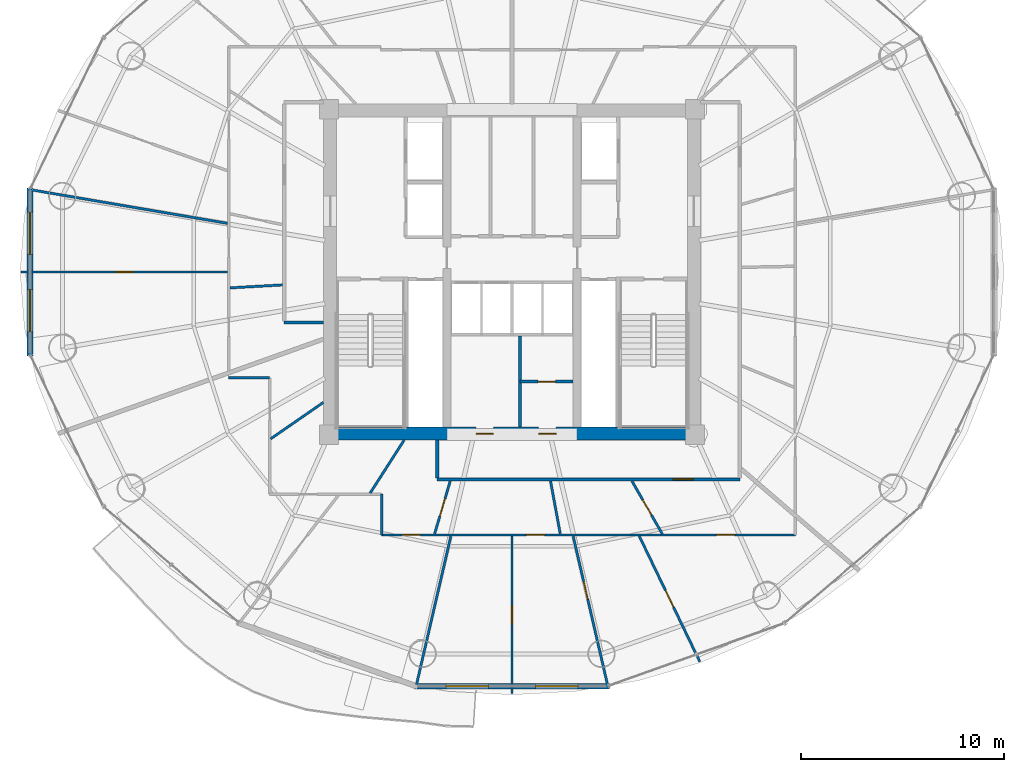
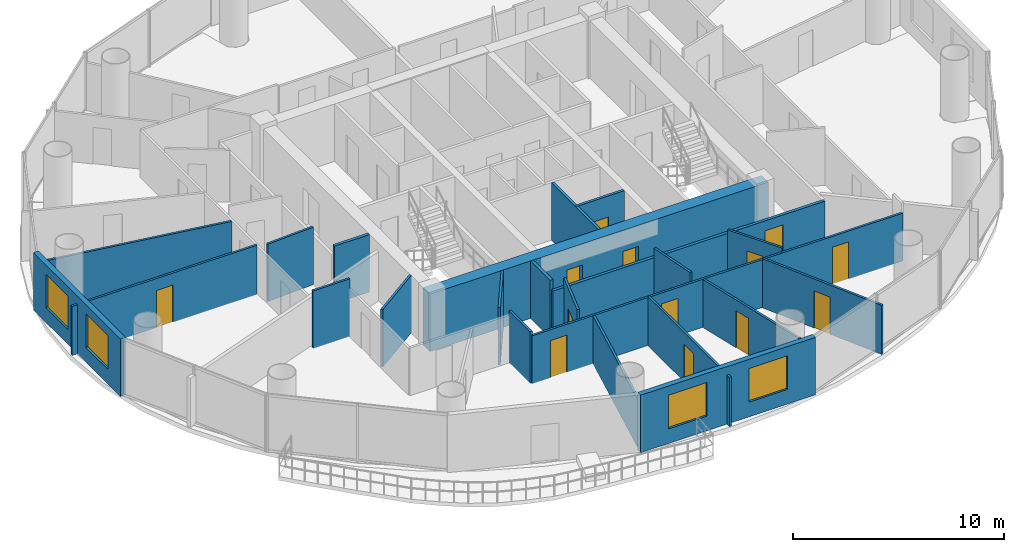
# One storey, part 21 of 27: 23 walls, 13 doors, 4 windows, 17 openings.
"""IFC4 building model written with IfcOpenShell, lengths in metres."""

import ifcopenshell
import ifcopenshell.guid

model = None  # the IFC model being written
_history = None  # IfcOwnerHistory: only IFC2X3 demands one
_inside = {}  # id of a spatial element -> (the spatial element, [elements in it])
_under = {}  # id of a project, library or spatial element -> (it, [spatial elements below it])
_declared = {}  # id of a project -> (the project, [libraries it declares])
_typed = {}  # id of a type object -> (the type object, [elements of that type])
_made_of = {}  # id of a material, layer set ... -> (it, [elements and type objects made of it])


def new_model(schema):
    """Start an empty IFC model of exactly this schema.

    Asked for "IFC4X3", IfcOpenShell would pick the latest addendum, in which some entities
    have other attributes; the version numbers below select the first issue.
    IFC2X3 requires an IfcOwnerHistory on every rooted entity: one is made here for all.
    """
    global model, _history
    if schema == "IFC4X3":
        model = ifcopenshell.file(schema_version=(4, 3, 0, 0))
    else:
        model = ifcopenshell.file(schema=schema)
    _inside.clear()
    _under.clear()
    _declared.clear()
    _typed.clear()
    _made_of.clear()
    _history = None
    if model.schema == "IFC2X3":
        org = make("IfcOrganization", Name="unknown")
        user = make(
            "IfcPersonAndOrganization",
            ThePerson=make("IfcPerson", FamilyName="unknown"),
            TheOrganization=org,
        )
        app = make(
            "IfcApplication",
            ApplicationDeveloper=org,
            Version="unknown",
            ApplicationFullName="unknown",
            ApplicationIdentifier="unknown",
        )
        _history = make(
            "IfcOwnerHistory",
            OwningUser=user,
            OwningApplication=app,
            ChangeAction="ADDED",
            CreationDate=0,
        )
    return model


def make(cls, **values):
    """One entity of the class cls with the attributes given. An attribute that is None is left unset."""
    return model.create_entity(
        cls, **{name: value for name, value in values.items() if value is not None}
    )


def rooted(cls, **values):
    """An entity with a GlobalId (a new one), such as an element, a storey or a relation."""
    return make(cls, GlobalId=ifcopenshell.guid.new(), OwnerHistory=_history, **values)


def si_unit(unit_type, name, prefix=None):
    """IfcSIUnit, for example si_unit("LENGTHUNIT", "METRE", prefix="MILLI")."""
    return make("IfcSIUnit", UnitType=unit_type, Prefix=prefix, Name=name)


def assignment(units):
    """IfcUnitAssignment: the units of a project."""
    return None if units is None else make("IfcUnitAssignment", Units=units)


def point(xyz):
    """IfcCartesianPoint."""
    return None if xyz is None else make("IfcCartesianPoint", Coordinates=xyz)


def direction(xyz):
    """IfcDirection."""
    return None if xyz is None else make("IfcDirection", DirectionRatios=xyz)


def frame(location, z_axis=None, x_axis=None):
    """IfcAxis2Placement3D, a coordinate frame: its origin and axes. An axis left out is left unset."""
    return make(
        "IfcAxis2Placement3D",
        Location=point(location),
        Axis=direction(z_axis),
        RefDirection=direction(x_axis),
    )


def frame_2d(location, x_axis=None):
    """IfcAxis2Placement2D, a coordinate frame in the plane: its origin and x axis."""
    return make(
        "IfcAxis2Placement2D", Location=point(location), RefDirection=direction(x_axis)
    )


def origin():
    """The frame at (0, 0, 0) with its axes left unset."""
    return frame((0.0, 0.0, 0.0))


def place(relative_to, where):
    """IfcLocalPlacement: puts the frame where relative to a parent placement (None: the world)."""
    return make(
        "IfcLocalPlacement", PlacementRelTo=relative_to, RelativePlacement=where
    )


def context(
    kind, dimensions, precision=None, world=None, true_north=None, identifier=None
):
    """IfcGeometricRepresentationContext, for example the 3D "Model" context."""
    return make(
        "IfcGeometricRepresentationContext",
        ContextIdentifier=identifier,
        ContextType=kind,
        CoordinateSpaceDimension=dimensions,
        Precision=precision,
        WorldCoordinateSystem=world,
        TrueNorth=true_north,
    )


def subcontext(parent, identifier, kind, view, scale=None):
    """IfcGeometricRepresentationSubContext, for example "Body" below "Model"."""
    return make(
        "IfcGeometricRepresentationSubContext",
        ContextIdentifier=identifier,
        ContextType=kind,
        ParentContext=parent,
        TargetScale=scale,
        TargetView=view,
    )


def project(units=None, contexts=None):
    """IfcProject with its units and contexts."""
    return rooted(
        "IfcProject",
        Name="project",
        RepresentationContexts=contexts,
        UnitsInContext=assignment(units),
    )


def spatial(cls, under=None, at=None, **own):
    """A site, building, storey or space (cls), placed at a placement, below another one or the project."""
    s = rooted(cls, ObjectPlacement=at, **own)
    if under is not None:
        _under.setdefault(under.id(), (under, []))[1].append(s)
    return s


def profile(cls, at=None, kind="AREA", **sizes):
    """A parametric profile (cls). Its sizes go by their IFC names, for example OverallWidth=200.0."""
    return make(cls, ProfileType=kind, Position=at, **sizes)


def rectangle(**sizes):
    """IfcRectangleProfileDef."""
    return profile("IfcRectangleProfileDef", **sizes)


def extrude(swept, where, along, depth):
    """IfcExtrudedAreaSolid: the profile swept, set in the frame where, extruded along a direction by depth."""
    return make(
        "IfcExtrudedAreaSolid",
        SweptArea=swept,
        Position=where,
        ExtrudedDirection=direction(along),
        Depth=depth,
    )


def shape(context_of_items, identifier, shape_type, items):
    """IfcShapeRepresentation: the items that make up one representation, for example the "Body"."""
    return make(
        "IfcShapeRepresentation",
        ContextOfItems=context_of_items,
        RepresentationIdentifier=identifier,
        RepresentationType=shape_type,
        Items=items,
    )


def source(mapping_origin, context_of_items, identifier, shape_type, items):
    """IfcRepresentationMap: a shape defined once, which mapped items show again and again."""
    return make(
        "IfcRepresentationMap",
        MappingOrigin=mapping_origin,
        MappedRepresentation=shape(context_of_items, identifier, shape_type, items),
    )


def transform(
    local_origin,
    x_axis=None,
    y_axis=None,
    z_axis=None,
    scale=None,
    scale2=None,
    scale3=None,
    uniform=True,
):
    """IfcCartesianTransformationOperator3D, or its non-uniform kind. x_axis, y_axis, z_axis: its Axis1, 2, 3."""
    if uniform:
        return make(
            "IfcCartesianTransformationOperator3D",
            Axis1=direction(x_axis),
            Axis2=direction(y_axis),
            LocalOrigin=point(local_origin),
            Scale=scale,
            Axis3=direction(z_axis),
        )
    return make(
        "IfcCartesianTransformationOperator3DnonUniform",
        Axis1=direction(x_axis),
        Axis2=direction(y_axis),
        LocalOrigin=point(local_origin),
        Scale=scale,
        Axis3=direction(z_axis),
        Scale2=scale2,
        Scale3=scale3,
    )


def mapped(mapping_source, mapping_target):
    """IfcMappedItem: shows the shape of a source again, moved by a transform."""
    return make(
        "IfcMappedItem", MappingSource=mapping_source, MappingTarget=mapping_target
    )


def material(Name=None, Category=None):
    """IfcMaterial."""
    return make("IfcMaterial", Name=Name, Category=Category)


def layer(
    of_material, thickness, ventilated=None, Name=None, Category=None, Priority=None
):
    """IfcMaterialLayer: one layer of a wall or slab, of a material (None: an air gap)."""
    return make(
        "IfcMaterialLayer",
        Material=of_material,
        LayerThickness=thickness,
        IsVentilated=ventilated,
        Name=Name,
        Category=Category,
        Priority=Priority,
    )


def layer_set(layers, Name=None):
    """IfcMaterialLayerSet."""
    return make("IfcMaterialLayerSet", MaterialLayers=layers, LayerSetName=Name)


def made_of(thing, what):
    """Note that an element or type object is made of a material, layer set ...; save() writes the relation."""
    if what is not None:
        _made_of.setdefault(what.id(), (what, []))[1].append(thing)
    return thing


def type_object(cls, material=None, **own):
    """A type object (cls), such as IfcWallType, which elements share."""
    return made_of(rooted(cls, **own), material)


def element(
    cls,
    number,
    at=None,
    inside=None,
    cuts=None,
    type_object=None,
    material=None,
    context=None,
    identifier="Body",
    shape_type=None,
    held_by="IfcProductDefinitionShape",
    body=None,
    shapes=None,
    **own,
):
    """One element of the class cls, such as IfcWall. Its Tag is "e" and its number.

    at: its placement. inside: the storey or other place that contains it. cuts: it is an
    opening in that element (IfcRelVoidsElement). A single representation is given by context,
    identifier, shape_type and body (its items); several are given by shapes. held_by: the class
    of the entity that holds the representations. save() writes the other relations.
    """
    e = rooted(cls, Tag="e%d" % number, ObjectPlacement=at, **own)
    if body is not None:
        shapes = [shape(context, identifier, shape_type, body)]
    if shapes is not None:
        e.Representation = make(held_by, Representations=shapes)
    if inside is not None:
        _inside.setdefault(inside.id(), (inside, []))[1].append(e)
    if cuts is not None:
        rooted(
            "IfcRelVoidsElement", RelatingBuildingElement=cuts, RelatedOpeningElement=e
        )
    if type_object is not None:
        _typed.setdefault(type_object.id(), (type_object, []))[1].append(e)
    return made_of(e, material)


def fill(opening, filler):
    """IfcRelFillsElement: the door or window that sits in an opening."""
    return rooted(
        "IfcRelFillsElement",
        RelatingOpeningElement=opening,
        RelatedBuildingElement=filler,
    )


def aggregate(whole, parts):
    """IfcRelAggregates: a whole, such as a stair, and the parts it consists of."""
    return rooted("IfcRelAggregates", RelatingObject=whole, RelatedObjects=parts)


def save(model, path):
    """Write the relations noted so far, then the file.

    IfcRelAggregates (storeys below a building ...), IfcRelContainedInSpatialStructure (elements
    in a storey), IfcRelDefinesByType, IfcRelAssociatesMaterial and IfcRelDeclares: one each for
    every whole, place, type object, material and project.
    """
    for whole, parts in _under.values():
        aggregate(whole, parts)
    for where, things in _inside.values():
        rooted(
            "IfcRelContainedInSpatialStructure",
            RelatedElements=things,
            RelatingStructure=where,
        )
    for kind, things in _typed.values():
        rooted("IfcRelDefinesByType", RelatedObjects=things, RelatingType=kind)
    for what, things in _made_of.values():
        rooted("IfcRelAssociatesMaterial", RelatedObjects=things, RelatingMaterial=what)
    for by, libraries in _declared.values():
        rooted("IfcRelDeclares", RelatingContext=by, RelatedDefinitions=libraries)
    model.write(path)


model = new_model("IFC4")

# Units and contexts
model_context = context("Model", 3, precision=1e-05, world=origin(), true_north=direction((-0.2419218956, 0.970295726276)))
body_context = subcontext(model_context, "Body", "Model", "MODEL_VIEW")
ifc_project = project(units=[si_unit("LENGTHUNIT", "METRE"), si_unit("AREAUNIT", "SQUARE_METRE"), si_unit("VOLUMEUNIT", "CUBIC_METRE"), si_unit("PLANEANGLEUNIT", "RADIAN"), si_unit("MASSUNIT", "GRAM", prefix="KILO")], contexts=[model_context])

# Site, building, storey
site_placement = place(None, origin())
site = spatial("IfcSite", under=ifc_project, at=site_placement, CompositionType="ELEMENT")
building_placement = place(site_placement, origin())
building = spatial("IfcBuilding", under=site, at=building_placement, Name="Cobrevalo Terracotta Tower", CompositionType="ELEMENT")
storey_placement = place(building_placement, frame((0.0, 0.0, 149.800048828125)))
storey = spatial("IfcBuildingStorey", under=building, at=storey_placement, Name="L39", CompositionType="ELEMENT", Elevation=149.800048828125)

# Wall, openings, doors
ifc_material_1 = material(Name="Concrete C55", Category="concrete")
ifc_layer_1 = layer(ifc_material_1, 0.64990234375)
ifc_layer_set_1 = layer_set([ifc_layer_1], Name="Concrete C55")
wall_type_1 = type_object("IfcWallType", Name="Core shear wall 650 mm Concrete C55", PredefinedType="SHEAR", material=ifc_layer_set_1)
wall_1_placement = place(storey_placement, frame((28.72509765625, 18.85009765625, 0.0), z_axis=(0.0, 0.0, 1.0), x_axis=(1.0, 0.0, 0.0)))
wall_1 = element("IfcWall", 1, at=wall_1_placement, inside=storey, type_object=wall_type_1, Name="L39 south core shear wall", PredefinedType="SHEAR", context=body_context, shape_type="SweptSolid", body=[
    extrude(rectangle(XDim=18.5498046875, YDim=0.64990234375, at=frame_2d((9.27490234375, 0.0))), origin(), (0.0, 0.0, 1.0), 3.329833984375),
])
opening_1_placement = place(wall_1_placement, frame((7.510009765625, 0.0, 0.0)))
opening_1 = element("IfcOpeningElement", 2, at=opening_1_placement, cuts=wall_1, Name="Opening ID-22", PredefinedType="OPENING", context=body_context, shape_type="SweptSolid", body=[
    extrude(rectangle(XDim=0.85009765625, YDim=2.10009765625, at=frame_2d((0.425048828125, 1.050048828125))), frame((0.0, 0.3349609375, 0.0), z_axis=(0.0, -1.0, 0.0), x_axis=(1.0, 0.0, 0.0)), (0.0, 0.0, 1.0), 0.669921875),
])
opening_2_placement = place(wall_1_placement, frame((10.590087890625, 0.0, 0.0)))
opening_2 = element("IfcOpeningElement", 3, at=opening_2_placement, cuts=wall_1, Name="Opening ID-22", PredefinedType="OPENING", context=body_context, shape_type="SweptSolid", body=[
    extrude(rectangle(XDim=0.85009765625, YDim=2.10009765625, at=frame_2d((0.425048828125, 1.050048828125))), frame((0.0, 0.3349609375, 0.0), z_axis=(0.0, -1.0, 0.0), x_axis=(1.0, 0.0, 0.0)), (0.0, 0.0, 1.0), 0.669921875),
])
ifc_material_2 = material(Name="Powder-coated steel", Category="steel")
door_type_1 = type_object("IfcDoorType", Name="Riser shaft & meter closet fire access door 850x2100 EI 60", OperationType="NOTDEFINED", PredefinedType="DOOR", material=ifc_material_2)
shared_shape_1 = source(origin(), body_context, "Body", "SweptSolid", [
    extrude(rectangle(XDim=0.85009765625, YDim=2.10009765625, at=frame_2d((0.425048828125, 1.050048828125))), frame((0.0, 0.02490234375, 0.0), z_axis=(0.0, -1.0, 0.0), x_axis=(1.0, 0.0, 0.0)), (0.0, 0.0, 1.0), 0.050048828125),
])
door_1_placement = place(opening_1_placement, origin())
door_1 = element("IfcDoor", 4, at=door_1_placement, inside=storey, type_object=door_type_1, Name="L39 core south plant door Floor AHU Mechanical Plant", OperationType="SINGLE_SWING_RIGHT", OverallHeight=2.10009765625, OverallWidth=0.85009765625, PredefinedType="DOOR", context=body_context, shape_type="MappedRepresentation", body=[
    mapped(shared_shape_1, transform((0.0, 0.0, 0.0), scale=1.0)),
])
fill(opening_1, door_1)
door_2_placement = place(opening_2_placement, origin())
door_2 = element("IfcDoor", 5, at=door_2_placement, inside=storey, type_object=door_type_1, Name="L39 core south plant door Sprinkler Valve Plant", OperationType="SINGLE_SWING_RIGHT", OverallHeight=2.10009765625, OverallWidth=0.85009765625, PredefinedType="DOOR", context=body_context, shape_type="MappedRepresentation", body=[
    mapped(shared_shape_1, transform((0.0, 0.0, 0.0), scale=1.0)),
])
fill(opening_2, door_2)

# Wall
ifc_material_3 = material(Name="Gypsum board on steel stud", Category="steel")
ifc_layer_2 = layer(ifc_material_3, 0.159912109375)
ifc_layer_set_2 = layer_set([ifc_layer_2], Name="Gypsum board on steel stud")
wall_type_2 = type_object("IfcWallType", Name="Fire-rated corridor acoustic partition wall 160 mm", PredefinedType="PARTITIONING", material=ifc_layer_set_2)
wall_2_placement = place(storey_placement, frame((26.794921875, 24.320068359375, 0.0), z_axis=(0.0, 0.0, 1.0), x_axis=(1.0, 0.0, 0.0)))
element("IfcWall", 6, at=wall_2_placement, inside=storey, type_object=wall_type_2, Name="L39 interior partition IW-L39-COR-WS-CAP", PredefinedType="PARTITIONING", context=body_context, shape_type="SweptSolid", body=[
    extrude(rectangle(XDim=1.93017578125, YDim=0.159912109375, at=frame_2d((0.965087890625, 0.0))), origin(), (0.0, 0.0, 1.0), 3.329833984375),
])

# Wall, opening, door
wall_3_placement = place(storey_placement, frame((34.320068359375, 16.594970703125, 0.0), z_axis=(0.0, 0.0, 1.0), x_axis=(1.0, 0.0, 0.0)))
wall_3 = element("IfcWall", 7, at=wall_3_placement, inside=storey, type_object=wall_type_2, Name="L39 interior partition IW-L39-COR-S", PredefinedType="PARTITIONING", context=body_context, shape_type="SweptSolid", body=[
    extrude(rectangle(XDim=14.885009765625, YDim=0.159912109375, at=frame_2d((7.4423828125, 0.0))), origin(), (0.0, 0.0, 1.0), 2.77587890625),
])
opening_3_placement = place(wall_3_placement, frame((11.60888671875, 0.0, 0.0)))
opening_3 = element("IfcOpeningElement", 8, at=opening_3_placement, cuts=wall_3, Name="Opening ID-05", PredefinedType="OPENING", context=body_context, shape_type="SweptSolid", body=[
    extrude(rectangle(XDim=0.97998046875, YDim=2.199951171875, at=frame_2d((0.489990234375, 1.10009765625))), frame((0.0, 0.08984375, 0.0), z_axis=(0.0, -1.0, 0.0), x_axis=(1.0, 0.0, 0.0)), (0.0, 0.0, 1.0), 0.179931640625),
])
ifc_material_4 = material(Name="Solid hardwood timber", Category="wood")
door_type_2 = type_object("IfcDoorType", Name="Residence entrance fire-rated acoustic timber door 980x2200 EI 60", OperationType="NOTDEFINED", PredefinedType="DOOR", material=ifc_material_4)
shared_shape_2 = source(origin(), body_context, "Body", "SweptSolid", [
    extrude(rectangle(XDim=0.97998046875, YDim=2.199951171875, at=frame_2d((0.489990234375, 1.10009765625))), frame((0.0, 0.02490234375, 0.0), z_axis=(0.0, -1.0, 0.0), x_axis=(1.0, 0.0, 0.0)), (0.0, 0.0, 1.0), 0.050048828125),
])
door_3_placement = place(opening_3_placement, frame((0.97998046875, 0.0, 0.0), z_axis=(0.0, 0.0, 1.0), x_axis=(-1.0, 0.0, 0.0)))
door_3 = element("IfcDoor", 9, at=door_3_placement, inside=storey, type_object=door_type_2, Name="Flat L39B fire-rated apartment entrance door", OperationType="SINGLE_SWING_RIGHT", OverallHeight=2.199951171875, OverallWidth=0.97998046875, PredefinedType="DOOR", context=body_context, shape_type="MappedRepresentation", body=[
    mapped(shared_shape_2, transform((0.0, 0.0, 0.0), scale=1.0)),
])
fill(opening_3, door_3)

# Wall
wall_4_placement = place(storey_placement, frame((34.320068359375, 16.675048828125, 0.0), z_axis=(0.0, 0.0, 1.0), x_axis=(0.0, 1.0, 0.0)))
element("IfcWall", 10, at=wall_4_placement, inside=storey, type_object=wall_type_2, Name="L39 interior partition IW-L39-COR-SW-CAP", PredefinedType="PARTITIONING", context=body_context, shape_type="SweptSolid", body=[
    extrude(rectangle(XDim=1.849853515625, YDim=0.159912109375, at=frame_2d((0.9248046875, 0.0))), origin(), (0.0, 0.0, 1.0), 3.329833984375),
])

# Wall, openings, windows
ifc_material_5 = material(Name="Autoclaved aerated concrete block", Category="concrete")
ifc_layer_3 = layer(ifc_material_5, 0.280029296875)
ifc_layer_set_3 = layer_set([ifc_layer_3], Name="Autoclaved aerated concrete block")
wall_type_3 = type_object("IfcWallType", Name="Insulated tower spandrel & pier wall 280 mm with terracotta rainscreen", PredefinedType="SOLIDWALL", material=ifc_layer_set_3)
wall_5_placement = place(storey_placement, frame((14.29443359375, 30.93212890625, 0.0), z_axis=(0.0, 0.0, 1.0), x_axis=(0.0, -1.0, 0.0)))
wall_5 = element("IfcWall", 11, at=wall_5_placement, inside=storey, type_object=wall_type_3, Name="L39 terracotta rainscreen pier wall S08", PredefinedType="SOLIDWALL", context=body_context, shape_type="SweptSolid", body=[
    extrude(rectangle(XDim=8.26416015625, YDim=0.280029296875, at=frame_2d((4.132080078125, 0.0))), origin(), (0.0, 0.0, 1.0), 3.329833984375),
])
opening_4_placement = place(wall_5_placement, frame((1.181396484375, 0.0, 0.85009765625)))
opening_4 = element("IfcOpeningElement", 12, at=opening_4_placement, cuts=wall_5, Name="Opening WN-10", PredefinedType="OPENING", context=body_context, shape_type="SweptSolid", body=[
    extrude(rectangle(XDim=2.10009765625, YDim=1.949951171875, at=frame_2d((1.050048828125, 0.97509765625))), frame((0.0, 0.14990234375, 0.0), z_axis=(0.0, -1.0, 0.0), x_axis=(1.0, 0.0, 0.0)), (0.0, 0.0, 1.0), 0.300048828125),
])
opening_5_placement = place(wall_5_placement, frame((4.98291015625, 0.0, 0.85009765625)))
opening_5 = element("IfcOpeningElement", 13, at=opening_5_placement, cuts=wall_5, Name="Opening WN-10", PredefinedType="OPENING", context=body_context, shape_type="SweptSolid", body=[
    extrude(rectangle(XDim=2.10009765625, YDim=1.949951171875, at=frame_2d((1.050048828125, 0.97509765625))), frame((0.0, 0.14990234375, 0.0), z_axis=(0.0, -1.0, 0.0), x_axis=(1.0, 0.0, 0.0)), (0.0, 0.0, 1.0), 0.300048828125),
])
ifc_material_6 = material(Name="Solar-control low-E double glazing", Category="glass")
window_type = type_object("IfcWindowType", Name="Wide panoramic low-E aluminium window 2100x1950", PartitioningType="SINGLE_PANEL", PredefinedType="WINDOW", material=ifc_material_6)
shared_shape_3 = source(origin(), body_context, "Body", "SweptSolid", [
    extrude(rectangle(XDim=2.10009765625, YDim=1.949951171875, at=frame_2d((1.050048828125, 0.97509765625))), frame((0.0, 0.030029296875, 0.0), z_axis=(0.0, -1.0, 0.0), x_axis=(1.0, 0.0, 0.0)), (0.0, 0.0, 1.0), 0.06005859375),
])
window_1_placement = place(opening_4_placement, origin())
window_1 = element("IfcWindow", 14, at=window_1_placement, inside=storey, type_object=window_type, Name="L39 suite window S08A", OverallHeight=1.949951171875, OverallWidth=2.10009765625, PartitioningType="SINGLE_PANEL", PredefinedType="WINDOW", context=body_context, shape_type="MappedRepresentation", body=[
    mapped(shared_shape_3, transform((0.0, 0.0, 0.0), scale=1.0)),
])
fill(opening_4, window_1)
window_2_placement = place(opening_5_placement, origin())
window_2 = element("IfcWindow", 15, at=window_2_placement, inside=storey, type_object=window_type, Name="L39 suite window S08B", OverallHeight=1.949951171875, OverallWidth=2.10009765625, PartitioningType="SINGLE_PANEL", PredefinedType="WINDOW", context=body_context, shape_type="MappedRepresentation", body=[
    mapped(shared_shape_3, transform((0.0, 0.0, 0.0), scale=1.0)),
])
fill(opening_5, window_2)

wall_6_placement = place(storey_placement, frame((33.20458984375, 6.42919921875, 0.0), z_axis=(0.0, 0.0, 1.0), x_axis=(1.0, 0.0, 0.0)))
wall_6 = element("IfcWall", 16, at=wall_6_placement, inside=storey, type_object=wall_type_3, Name="L39 terracotta rainscreen pier wall S12", PredefinedType="SOLIDWALL", context=body_context, shape_type="SweptSolid", body=[
    extrude(rectangle(XDim=9.5908203125, YDim=0.280029296875, at=frame_2d((4.79541015625, 0.0))), origin(), (0.0, 0.0, 1.0), 3.329833984375),
])
opening_6_placement = place(wall_6_placement, frame((1.53955078125, 0.0, 0.85009765625)))
opening_6 = element("IfcOpeningElement", 17, at=opening_6_placement, cuts=wall_6, Name="Opening WN-10", PredefinedType="OPENING", context=body_context, shape_type="SweptSolid", body=[
    extrude(rectangle(XDim=2.10009765625, YDim=1.949951171875, at=frame_2d((1.050048828125, 0.97509765625))), frame((0.0, 0.14990234375, 0.0), z_axis=(0.0, -1.0, 0.0), x_axis=(1.0, 0.0, 0.0)), (0.0, 0.0, 1.0), 0.300048828125),
])
opening_7_placement = place(wall_6_placement, frame((5.951171875, 0.0, 0.85009765625)))
opening_7 = element("IfcOpeningElement", 18, at=opening_7_placement, cuts=wall_6, Name="Opening WN-10", PredefinedType="OPENING", context=body_context, shape_type="SweptSolid", body=[
    extrude(rectangle(XDim=2.10009765625, YDim=1.949951171875, at=frame_2d((1.050048828125, 0.97509765625))), frame((0.0, 0.14990234375, 0.0), z_axis=(0.0, -1.0, 0.0), x_axis=(1.0, 0.0, 0.0)), (0.0, 0.0, 1.0), 0.300048828125),
])
window_3_placement = place(opening_6_placement, origin())
window_3 = element("IfcWindow", 19, at=window_3_placement, inside=storey, type_object=window_type, Name="L39 suite window S12A", OverallHeight=1.949951171875, OverallWidth=2.10009765625, PartitioningType="SINGLE_PANEL", PredefinedType="WINDOW", context=body_context, shape_type="MappedRepresentation", body=[
    mapped(shared_shape_3, transform((0.0, 0.0, 0.0), scale=1.0)),
])
fill(opening_6, window_3)
window_4_placement = place(opening_7_placement, origin())
window_4 = element("IfcWindow", 20, at=window_4_placement, inside=storey, type_object=window_type, Name="L39 suite window S12B", OverallHeight=1.949951171875, OverallWidth=2.10009765625, PartitioningType="SINGLE_PANEL", PredefinedType="WINDOW", context=body_context, shape_type="MappedRepresentation", body=[
    mapped(shared_shape_3, transform((0.0, 0.0, 0.0), scale=1.0)),
])
fill(opening_7, window_4)

# Wall
ifc_layer_4 = layer(ifc_material_5, 0.139892578125)
ifc_layer_set_4 = layer_set([ifc_layer_4], Name="Autoclaved aerated concrete block")
wall_type_4 = type_object("IfcWallType", Name="Moisture-resistant wet-room & core service partition 140 mm", PredefinedType="PARTITIONING", material=ifc_layer_set_4)
wall_7_placement = place(storey_placement, frame((38.39990234375, 19.175048828125, 0.0), z_axis=(0.0, 0.0, 1.0), x_axis=(0.0, 1.0, 0.0)))
element("IfcWall", 21, at=wall_7_placement, inside=storey, type_object=wall_type_4, Name="L39 interior partition IW-L39-KVS-L1", PredefinedType="PARTITIONING", context=body_context, shape_type="SweptSolid", body=[
    extrude(rectangle(XDim=4.46484375, YDim=0.139892578125, at=frame_2d((2.232421875, 0.0))), origin(), (0.0, 0.0, 1.0), 3.329833984375),
])

# Wall, opening, door
wall_8_placement = place(storey_placement, frame((38.39990234375, 21.407470703125, 0.0), z_axis=(0.0, 0.0, 1.0), x_axis=(1.0, 0.0, 0.0)))
wall_8 = element("IfcWall", 22, at=wall_8_placement, inside=storey, type_object=wall_type_4, Name="L39 interior partition IW-L39-KVS-L2", PredefinedType="PARTITIONING", context=body_context, shape_type="SweptSolid", body=[
    extrude(rectangle(XDim=2.610107421875, YDim=0.139892578125, at=frame_2d((1.30517578125, 0.0))), origin(), (0.0, 0.0, 1.0), 3.329833984375),
])
opening_8_placement = place(wall_8_placement, frame((0.8798828125, 0.0, 0.0)))
opening_8 = element("IfcOpeningElement", 23, at=opening_8_placement, cuts=wall_8, Name="Opening ID-22", PredefinedType="OPENING", context=body_context, shape_type="SweptSolid", body=[
    extrude(rectangle(XDim=0.85009765625, YDim=2.10009765625, at=frame_2d((0.425048828125, 1.050048828125))), frame((0.0, 0.080078125, 0.0), z_axis=(0.0, -1.0, 0.0), x_axis=(1.0, 0.0, 0.0)), (0.0, 0.0, 1.0), 0.159912109375),
])
door_4_placement = place(opening_8_placement, origin())
door_4 = element("IfcDoor", 24, at=door_4_placement, inside=storey, type_object=door_type_1, Name="L39 core KVS-L2 inner door", OperationType="SINGLE_SWING_LEFT", OverallHeight=2.10009765625, OverallWidth=0.85009765625, PredefinedType="DOOR", context=body_context, shape_type="MappedRepresentation", body=[
    mapped(shared_shape_1, transform((0.0, 0.0, 0.0), scale=1.0)),
])
fill(opening_8, door_4)

# Wall
ifc_layer_5 = layer(ifc_material_3, 0.1201171875)
ifc_layer_set_5 = layer_set([ifc_layer_5], Name="Gypsum board on steel stud")
wall_type_5 = type_object("IfcWallType", Name="Residential internal acoustic stud partition 120 mm", PredefinedType="PARTITIONING", material=ifc_layer_set_5)
wall_9_placement = place(storey_placement, frame((24.00390625, 29.19287109375, 0.0), z_axis=(0.0, 0.0, 1.0), x_axis=(-0.985698378271, 0.168519159369, 0.0)))
element("IfcWall", 25, at=wall_9_placement, inside=storey, type_object=wall_type_5, Name="L39 interior partition IW-L39-U1-ORAD3M1", PredefinedType="PARTITIONING", context=body_context, shape_type="SweptSolid", body=[
    extrude(rectangle(XDim=9.768798828125, YDim=0.1201171875, at=frame_2d((4.88427734375, 0.0))), origin(), (0.0, 0.0, 1.0), 2.77587890625),
])

# Wall, opening, door
wall_10_placement = place(storey_placement, frame((24.0029296875, 26.800048828125, 0.0), z_axis=(0.0, 0.0, 1.0), x_axis=(-1.0, 0.0, 0.0)))
wall_10 = element("IfcWall", 26, at=wall_10_placement, inside=storey, type_object=wall_type_5, Name="L39 interior partition IW-L39-U1-ORAD3", PredefinedType="PARTITIONING", context=body_context, shape_type="SweptSolid", body=[
    extrude(rectangle(XDim=10.142822265625, YDim=0.1201171875, at=frame_2d((5.0712890625, 0.0))), origin(), (0.0, 0.0, 1.0), 2.845947265625),
])
opening_9_placement = place(wall_10_placement, frame((4.62158203125, 0.0, 0.0)))
opening_9 = element("IfcOpeningElement", 27, at=opening_9_placement, cuts=wall_10, Name="Opening ID-12", PredefinedType="OPENING", context=body_context, shape_type="SweptSolid", body=[
    extrude(rectangle(XDim=0.89990234375, YDim=2.14990234375, at=frame_2d((0.449951171875, 1.074951171875))), frame((0.0, 0.070068359375, 0.0), z_axis=(0.0, -1.0, 0.0), x_axis=(1.0, 0.0, 0.0)), (0.0, 0.0, 1.0), 0.14013671875),
])
ifc_material_7 = material(Name="Engineered timber", Category="wood")
door_type_3 = type_object("IfcDoorType", Name="Internal residence & suite timber door 900x2150", OperationType="NOTDEFINED", PredefinedType="DOOR", material=ifc_material_7)
shared_shape_4 = source(origin(), body_context, "Body", "SweptSolid", [
    extrude(rectangle(XDim=0.89990234375, YDim=2.14990234375, at=frame_2d((0.449951171875, 1.074951171875))), frame((0.0, 0.02490234375, 0.0), z_axis=(0.0, -1.0, 0.0), x_axis=(1.0, 0.0, 0.0)), (0.0, 0.0, 1.0), 0.050048828125),
])
door_5_placement = place(opening_9_placement, origin())
door_5 = element("IfcDoor", 28, at=door_5_placement, inside=storey, type_object=door_type_3, Name="Flat L39A Penthouse Family Lounge internal door", OperationType="SINGLE_SWING_RIGHT", OverallHeight=2.14990234375, OverallWidth=0.89990234375, PredefinedType="DOOR", context=body_context, shape_type="MappedRepresentation", body=[
    mapped(shared_shape_4, transform((0.0, 0.0, 0.0), scale=1.0)),
])
fill(opening_9, door_5)

# Wall
wall_11_placement = place(storey_placement, frame((26.715087890625, 26.164306640625, 0.0), z_axis=(0.0, 0.0, 1.0), x_axis=(-0.998418047295, -0.056226353574, 0.0)))
element("IfcWall", 29, at=wall_11_placement, inside=storey, type_object=wall_type_5, Name="L39 interior partition IW-L39-U1-IRAD5", PredefinedType="PARTITIONING", context=body_context, shape_type="SweptSolid", body=[
    extrude(rectangle(XDim=2.59228515625, YDim=0.1201171875, at=frame_2d((1.296142578125, 0.0))), origin(), (0.0, 0.0, 1.0), 3.329833984375),
])

# Wall, openings, doors
wall_12_placement = place(storey_placement, frame((51.93505859375, 13.864990234375, 0.0), z_axis=(0.0, 0.0, 1.0), x_axis=(-1.0, 0.0, 0.0)))
wall_12 = element("IfcWall", 30, at=wall_12_placement, inside=storey, type_object=wall_type_5, Name="L39 interior partition IW-L39-U2-RING1_0", PredefinedType="PARTITIONING", context=body_context, shape_type="SweptSolid", body=[
    extrude(rectangle(XDim=20.344970703125, YDim=0.1201171875, at=frame_2d((10.17236328125, 0.0))), origin(), (0.0, 0.0, 1.0), 2.77587890625),
])
opening_10_placement = place(wall_12_placement, frame((2.985107421875, 0.0, 0.0)))
opening_10 = element("IfcOpeningElement", 31, at=opening_10_placement, cuts=wall_12, Name="Opening ID-12", PredefinedType="OPENING", context=body_context, shape_type="SweptSolid", body=[
    extrude(rectangle(XDim=0.89990234375, YDim=2.14990234375, at=frame_2d((0.449951171875, 1.074951171875))), frame((0.0, 0.070068359375, 0.0), z_axis=(0.0, -1.0, 0.0), x_axis=(1.0, 0.0, 0.0)), (0.0, 0.0, 1.0), 0.14013671875),
])
opening_11_placement = place(wall_12_placement, frame((12.333251953125, 0.0, 0.0)))
opening_11 = element("IfcOpeningElement", 32, at=opening_11_placement, cuts=wall_12, Name="Opening ID-12", PredefinedType="OPENING", context=body_context, shape_type="SweptSolid", body=[
    extrude(rectangle(XDim=0.89990234375, YDim=2.14990234375, at=frame_2d((0.449951171875, 1.074951171875))), frame((0.0, 0.070068359375, 0.0), z_axis=(0.0, -1.0, 0.0), x_axis=(1.0, 0.0, 0.0)), (0.0, 0.0, 1.0), 0.14013671875),
])
opening_12_placement = place(wall_12_placement, frame((18.435791015625, 0.0, 0.0)))
opening_12 = element("IfcOpeningElement", 33, at=opening_12_placement, cuts=wall_12, Name="Opening ID-12", PredefinedType="OPENING", context=body_context, shape_type="SweptSolid", body=[
    extrude(rectangle(XDim=0.89990234375, YDim=2.14990234375, at=frame_2d((0.449951171875, 1.074951171875))), frame((0.0, 0.070068359375, 0.0), z_axis=(0.0, -1.0, 0.0), x_axis=(1.0, 0.0, 0.0)), (0.0, 0.0, 1.0), 0.14013671875),
])
door_6_placement = place(opening_10_placement, origin())
door_6 = element("IfcDoor", 34, at=door_6_placement, inside=storey, type_object=door_type_3, Name="Flat L39B Penthouse Family Lounge internal door", OperationType="SINGLE_SWING_RIGHT", OverallHeight=2.14990234375, OverallWidth=0.89990234375, PredefinedType="DOOR", context=body_context, shape_type="MappedRepresentation", body=[
    mapped(shared_shape_4, transform((0.0, 0.0, 0.0), scale=1.0)),
])
fill(opening_10, door_6)
door_7_placement = place(opening_11_placement, frame((0.89990234375, 0.0, 0.0), z_axis=(0.0, 0.0, 1.0), x_axis=(-1.0, 0.0, 0.0)))
door_7 = element("IfcDoor", 35, at=door_7_placement, inside=storey, type_object=door_type_3, Name="Flat L39B Kitchen internal door", OperationType="SINGLE_SWING_LEFT", OverallHeight=2.14990234375, OverallWidth=0.89990234375, PredefinedType="DOOR", context=body_context, shape_type="MappedRepresentation", body=[
    mapped(shared_shape_4, transform((0.0, 0.0, 0.0), scale=1.0)),
])
fill(opening_11, door_7)
door_8_placement = place(opening_12_placement, origin())
door_8 = element("IfcDoor", 36, at=door_8_placement, inside=storey, type_object=door_type_3, Name="Flat L39B Master Bedroom internal door", OperationType="SINGLE_SWING_LEFT", OverallHeight=2.14990234375, OverallWidth=0.89990234375, PredefinedType="DOOR", context=body_context, shape_type="MappedRepresentation", body=[
    mapped(shared_shape_4, transform((0.0, 0.0, 0.0), scale=1.0)),
])
fill(opening_12, door_8)

# Walls
wall_13_placement = place(storey_placement, frame((31.590087890625, 13.864990234375, 0.0), z_axis=(0.0, 0.0, 1.0), x_axis=(0.0, 1.0, 0.0)))
element("IfcWall", 37, at=wall_13_placement, inside=storey, type_object=wall_type_5, Name="L39 interior partition IW-L39-U2-RING2_0", PredefinedType="PARTITIONING", context=body_context, shape_type="SweptSolid", body=[
    extrude(rectangle(XDim=2.010009765625, YDim=0.1201171875, at=frame_2d((1.0048828125, 0.0))), origin(), (0.0, 0.0, 1.0), 3.0048828125),
])
wall_14_placement = place(storey_placement, frame((26.074951171875, 21.590087890625, 0.0), z_axis=(0.0, 0.0, 1.0), x_axis=(-1.0, 0.0, 0.0)))
element("IfcWall", 38, at=wall_14_placement, inside=storey, type_object=wall_type_5, Name="L39 interior partition IW-L39-U2-RING5_0", PredefinedType="PARTITIONING", context=body_context, shape_type="SweptSolid", body=[
    extrude(rectangle(XDim=2.010009765625, YDim=0.1201171875, at=frame_2d((1.0048828125, 0.0))), origin(), (0.0, 0.0, 1.0), 3.329833984375),
])
wall_15_placement = place(storey_placement, frame((34.992431640625, 13.8046875, 0.0), z_axis=(0.0, 0.0, 1.0), x_axis=(-0.225447000045, -0.974255433739, 0.0)))
element("IfcWall", 39, at=wall_15_placement, inside=storey, type_object=wall_type_5, Name="L39 interior partition IW-L39-U2-ORAD2M1", PredefinedType="PARTITIONING", context=body_context, shape_type="SweptSolid", body=[
    extrude(rectangle(XDim=7.495849609375, YDim=0.1201171875, at=frame_2d((3.748046875, 0.0))), origin(), (0.0, 0.0, 1.0), 2.77587890625),
])

# Wall, opening, door
wall_16_placement = place(storey_placement, frame((38.0, 13.802978515625, 0.0), z_axis=(0.0, 0.0, 1.0), x_axis=(0.0, -1.0, 0.0)))
wall_16 = element("IfcWall", 40, at=wall_16_placement, inside=storey, type_object=wall_type_5, Name="L39 interior partition IW-L39-U2-ORAD2", PredefinedType="PARTITIONING", context=body_context, shape_type="SweptSolid", body=[
    extrude(rectangle(XDim=7.742919921875, YDim=0.1201171875, at=frame_2d((3.87158203125, 0.0))), origin(), (0.0, 0.0, 1.0), 2.845947265625),
])
opening_13_placement = place(wall_16_placement, frame((3.42138671875, 0.0, 0.0)))
opening_13 = element("IfcOpeningElement", 41, at=opening_13_placement, cuts=wall_16, Name="Opening ID-12", PredefinedType="OPENING", context=body_context, shape_type="SweptSolid", body=[
    extrude(rectangle(XDim=0.89990234375, YDim=2.14990234375, at=frame_2d((0.449951171875, 1.074951171875))), frame((0.0, 0.070068359375, 0.0), z_axis=(0.0, -1.0, 0.0), x_axis=(1.0, 0.0, 0.0)), (0.0, 0.0, 1.0), 0.14013671875),
])
door_9_placement = place(opening_13_placement, frame((0.89990234375, 0.0, 0.0), z_axis=(0.0, 0.0, 1.0), x_axis=(-1.0, 0.0, 0.0)))
door_9 = element("IfcDoor", 42, at=door_9_placement, inside=storey, type_object=door_type_3, Name="Flat L39B Principal Guest Bedroom internal door", OperationType="SINGLE_SWING_RIGHT", OverallHeight=2.14990234375, OverallWidth=0.89990234375, PredefinedType="DOOR", context=body_context, shape_type="MappedRepresentation", body=[
    mapped(shared_shape_4, transform((0.0, 0.0, 0.0), scale=1.0)),
])
fill(opening_13, door_9)

wall_17_placement = place(storey_placement, frame((41.007568359375, 13.8046875, 0.0), z_axis=(0.0, 0.0, 1.0), x_axis=(0.225447000045, -0.974255433739, 0.0)))
wall_17 = element("IfcWall", 43, at=wall_17_placement, inside=storey, type_object=wall_type_5, Name="L39 interior partition IW-L39-U2-ORAD3M1", PredefinedType="PARTITIONING", context=body_context, shape_type="SweptSolid", body=[
    extrude(rectangle(XDim=7.495849609375, YDim=0.1201171875, at=frame_2d((3.748046875, 0.0))), origin(), (0.0, 0.0, 1.0), 2.77587890625),
])
opening_14_placement = place(wall_17_placement, frame((2.288818359375, 0.0, 0.0)))
opening_14 = element("IfcOpeningElement", 44, at=opening_14_placement, cuts=wall_17, Name="Opening ID-12", PredefinedType="OPENING", context=body_context, shape_type="SweptSolid", body=[
    extrude(rectangle(XDim=0.89990234375, YDim=2.14990234375, at=frame_2d((0.449951171875, 1.074951171875))), frame((0.0, 0.070068359375, 0.0), z_axis=(0.0, -1.0, 0.0), x_axis=(1.0, 0.0, 0.0)), (0.0, 0.0, 1.0), 0.14013671875),
])
door_10_placement = place(opening_14_placement, frame((0.89990234375, 0.0, 0.0), z_axis=(0.0, 0.0, 1.0), x_axis=(-1.0, 0.0, 0.0)))
door_10 = element("IfcDoor", 45, at=door_10_placement, inside=storey, type_object=door_type_3, Name="Flat L39B North Bedroom internal door", OperationType="SINGLE_SWING_RIGHT", OverallHeight=2.14990234375, OverallWidth=0.89990234375, PredefinedType="DOOR", context=body_context, shape_type="MappedRepresentation", body=[
    mapped(shared_shape_4, transform((0.0, 0.0, 0.0), scale=1.0)),
])
fill(opening_14, door_10)

wall_18_placement = place(storey_placement, frame((44.260498046875, 13.80908203125, 0.0), z_axis=(0.0, 0.0, 1.0), x_axis=(0.434162832987, -0.900834410118, 0.0)))
wall_18 = element("IfcWall", 46, at=wall_18_placement, inside=storey, type_object=wall_type_5, Name="L39 interior partition IW-L39-U2-ORAD3", PredefinedType="PARTITIONING", context=body_context, shape_type="SweptSolid", body=[
    extrude(rectangle(XDim=6.84912109375, YDim=0.1201171875, at=frame_2d((3.424560546875, 0.0))), origin(), (0.0, 0.0, 1.0), 2.845947265625),
])
opening_15_placement = place(wall_18_placement, frame((2.974609375, 0.0, 0.0)))
opening_15 = element("IfcOpeningElement", 47, at=opening_15_placement, cuts=wall_18, Name="Opening ID-12", PredefinedType="OPENING", context=body_context, shape_type="SweptSolid", body=[
    extrude(rectangle(XDim=0.89990234375, YDim=2.14990234375, at=frame_2d((0.449951171875, 1.074951171875))), frame((0.0, 0.070068359375, 0.0), z_axis=(0.0, -1.0, 0.0), x_axis=(1.0, 0.0, 0.0)), (0.0, 0.0, 1.0), 0.14013671875),
])
door_11_placement = place(opening_15_placement, frame((0.89990234375, 0.0, 0.0), z_axis=(0.0, 0.0, 1.0), x_axis=(-1.0, 0.0, 0.0)))
door_11 = element("IfcDoor", 48, at=door_11_placement, inside=storey, type_object=door_type_3, Name="Flat L39B Penthouse Family Lounge internal door", OperationType="SINGLE_SWING_LEFT", OverallHeight=2.14990234375, OverallWidth=0.89990234375, PredefinedType="DOOR", context=body_context, shape_type="MappedRepresentation", body=[
    mapped(shared_shape_4, transform((0.0, 0.0, 0.0), scale=1.0)),
])
fill(opening_15, door_11)

# Walls
wall_19_placement = place(storey_placement, frame((28.723388671875, 20.386474609375, 0.0), z_axis=(0.0, 0.0, 1.0), x_axis=(-0.822570551556, -0.568663070467, 0.0)))
element("IfcWall", 49, at=wall_19_placement, inside=storey, type_object=wall_type_5, Name="L39 interior partition IW-L39-U2-IRAD1", PredefinedType="PARTITIONING", context=body_context, shape_type="SweptSolid", body=[
    extrude(rectangle(XDim=3.15771484375, YDim=0.1201171875, at=frame_2d((1.578857421875, 0.0))), origin(), (0.0, 0.0, 1.0), 3.329833984375),
])
wall_20_placement = place(storey_placement, frame((32.690673828125, 18.52490234375, 0.0), z_axis=(0.0, 0.0, 1.0), x_axis=(-0.54002976428, -0.841645919429, 0.0)))
element("IfcWall", 50, at=wall_20_placement, inside=storey, type_object=wall_type_5, Name="L39 interior partition IW-L39-U2-IRAD2", PredefinedType="PARTITIONING", context=body_context, shape_type="SweptSolid", body=[
    extrude(rectangle(XDim=3.08642578125, YDim=0.1201171875, at=frame_2d((1.543212890625, 0.0))), origin(), (0.0, 0.0, 1.0), 3.329833984375),
])

# Wall, opening, door
wall_21_placement = place(storey_placement, frame((34.9609375, 16.514892578125, 0.0), z_axis=(0.0, 0.0, 1.0), x_axis=(-0.283365034326, -0.959012125743, 0.0)))
wall_21 = element("IfcWall", 51, at=wall_21_placement, inside=storey, type_object=wall_type_5, Name="L39 interior partition IW-L39-U2-IRAD3", PredefinedType="PARTITIONING", context=body_context, shape_type="SweptSolid", body=[
    extrude(rectangle(XDim=2.700927734375, YDim=0.1201171875, at=frame_2d((1.3505859375, 0.0))), origin(), (0.0, 0.0, 1.0), 3.329833984375),
])
opening_16_placement = place(wall_21_placement, frame((0.900634765625, 0.0, 0.0)))
opening_16 = element("IfcOpeningElement", 52, at=opening_16_placement, cuts=wall_21, Name="Opening ID-12", PredefinedType="OPENING", context=body_context, shape_type="SweptSolid", body=[
    extrude(rectangle(XDim=0.89990234375, YDim=2.14990234375, at=frame_2d((0.449951171875, 1.074951171875))), frame((0.0, 0.070068359375, 0.0), z_axis=(0.0, -1.0, 0.0), x_axis=(1.0, 0.0, 0.0)), (0.0, 0.0, 1.0), 0.14013671875),
])
door_12_placement = place(opening_16_placement, frame((0.89990234375, 0.0, 0.0), z_axis=(0.0, 0.0, 1.0), x_axis=(-1.0, 0.0, 0.0)))
door_12 = element("IfcDoor", 53, at=door_12_placement, inside=storey, type_object=door_type_3, Name="Flat L39B Utility Closet internal door", OperationType="SINGLE_SWING_RIGHT", OverallHeight=2.14990234375, OverallWidth=0.89990234375, PredefinedType="DOOR", context=body_context, shape_type="MappedRepresentation", body=[
    mapped(shared_shape_4, transform((0.0, 0.0, 0.0), scale=1.0)),
])
fill(opening_16, door_12)

# Wall
wall_22_placement = place(storey_placement, frame((39.895263671875, 16.514892578125, 0.0), z_axis=(0.0, 0.0, 1.0), x_axis=(0.181219081065, -0.983442751083, 0.0)))
element("IfcWall", 54, at=wall_22_placement, inside=storey, type_object=wall_type_5, Name="L39 interior partition IW-L39-U2-IRAD4", PredefinedType="PARTITIONING", context=body_context, shape_type="SweptSolid", body=[
    extrude(rectangle(XDim=2.632568359375, YDim=0.1201171875, at=frame_2d((1.31640625, 0.0))), origin(), (0.0, 0.0, 1.0), 3.329833984375),
])

# Wall, opening, door
wall_23_placement = place(storey_placement, frame((43.901123046875, 16.514892578125, 0.0), z_axis=(0.0, 0.0, 1.0), x_axis=(0.497640283609, -0.86738350695, 0.0)))
wall_23 = element("IfcWall", 55, at=wall_23_placement, inside=storey, type_object=wall_type_5, Name="L39 interior partition IW-L39-U2-IRAD5", PredefinedType="PARTITIONING", context=body_context, shape_type="SweptSolid", body=[
    extrude(rectangle(XDim=2.9931640625, YDim=0.1201171875, at=frame_2d((1.49658203125, 0.0))), origin(), (0.0, 0.0, 1.0), 3.0048828125),
])
opening_17_placement = place(wall_23_placement, frame((1.066650390625, 0.0, 0.0)))
opening_17 = element("IfcOpeningElement", 56, at=opening_17_placement, cuts=wall_23, Name="Opening ID-19", PredefinedType="OPENING", context=body_context, shape_type="SweptSolid", body=[
    extrude(rectangle(XDim=0.860107421875, YDim=2.14990234375, at=frame_2d((0.43017578125, 1.074951171875))), frame((0.0, 0.070068359375, 0.0), z_axis=(0.0, -1.0, 0.0), x_axis=(1.0, 0.0, 0.0)), (0.0, 0.0, 1.0), 0.14013671875),
])
ifc_material_8 = material(Name="Moisture-sealed timber", Category="wood")
door_type_4 = type_object("IfcDoorType", Name="Suite bathroom internal timber door 860x2150", OperationType="NOTDEFINED", PredefinedType="DOOR", material=ifc_material_8)
shared_shape_5 = source(origin(), body_context, "Body", "SweptSolid", [
    extrude(rectangle(XDim=0.860107421875, YDim=2.14990234375, at=frame_2d((0.43017578125, 1.074951171875))), frame((0.0, 0.02490234375, 0.0), z_axis=(0.0, -1.0, 0.0), x_axis=(1.0, 0.0, 0.0)), (0.0, 0.0, 1.0), 0.050048828125),
])
door_13_placement = place(opening_17_placement, frame((0.860107421875, 0.0, 0.0), z_axis=(0.0, 0.0, 1.0), x_axis=(-1.0, 0.0, 0.0)))
door_13 = element("IfcDoor", 57, at=door_13_placement, inside=storey, type_object=door_type_4, Name="Flat L39B Primary Bathroom internal door", OperationType="SINGLE_SWING_LEFT", OverallHeight=2.14990234375, OverallWidth=0.860107421875, PredefinedType="DOOR", context=body_context, shape_type="MappedRepresentation", body=[
    mapped(shared_shape_5, transform((0.0, 0.0, 0.0), scale=1.0)),
])
fill(opening_17, door_13)

save(model, "model.ifc")
